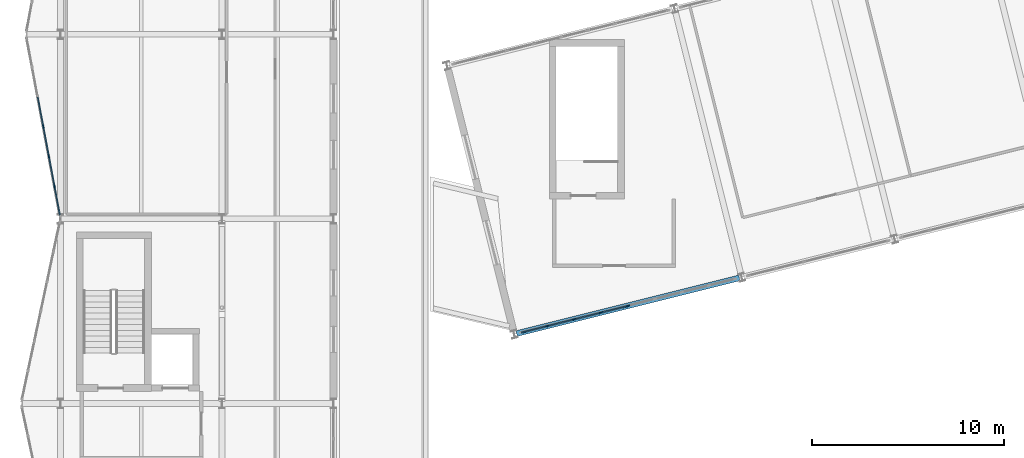
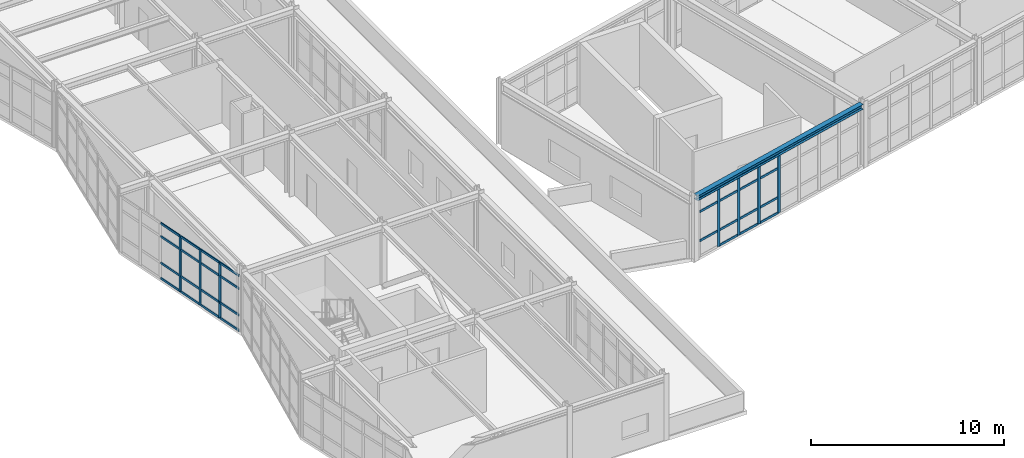
# One storey, part 12 of 64: 38 members, 1 beam, 2 elements without a shape of their own.
"""IFC4 building model written with IfcOpenShell, lengths in metres."""

import ifcopenshell
import ifcopenshell.guid

model = None  # the IFC model being written
_history = None  # IfcOwnerHistory: only IFC2X3 demands one
_inside = {}  # id of a spatial element -> (the spatial element, [elements in it])
_under = {}  # id of a project, library or spatial element -> (it, [spatial elements below it])
_declared = {}  # id of a project -> (the project, [libraries it declares])
_typed = {}  # id of a type object -> (the type object, [elements of that type])
_made_of = {}  # id of a material, layer set ... -> (it, [elements and type objects made of it])


def new_model(schema):
    """Start an empty IFC model of exactly this schema.

    Asked for "IFC4X3", IfcOpenShell would pick the latest addendum, in which some entities
    have other attributes; the version numbers below select the first issue.
    IFC2X3 requires an IfcOwnerHistory on every rooted entity: one is made here for all.
    """
    global model, _history
    if schema == "IFC4X3":
        model = ifcopenshell.file(schema_version=(4, 3, 0, 0))
    else:
        model = ifcopenshell.file(schema=schema)
    _inside.clear()
    _under.clear()
    _declared.clear()
    _typed.clear()
    _made_of.clear()
    _history = None
    if model.schema == "IFC2X3":
        org = make("IfcOrganization", Name="unknown")
        user = make(
            "IfcPersonAndOrganization",
            ThePerson=make("IfcPerson", FamilyName="unknown"),
            TheOrganization=org,
        )
        app = make(
            "IfcApplication",
            ApplicationDeveloper=org,
            Version="unknown",
            ApplicationFullName="unknown",
            ApplicationIdentifier="unknown",
        )
        _history = make(
            "IfcOwnerHistory",
            OwningUser=user,
            OwningApplication=app,
            ChangeAction="ADDED",
            CreationDate=0,
        )
    return model


def make(cls, **values):
    """One entity of the class cls with the attributes given. An attribute that is None is left unset."""
    return model.create_entity(
        cls, **{name: value for name, value in values.items() if value is not None}
    )


def rooted(cls, **values):
    """An entity with a GlobalId (a new one), such as an element, a storey or a relation."""
    return make(cls, GlobalId=ifcopenshell.guid.new(), OwnerHistory=_history, **values)


def si_unit(unit_type, name, prefix=None):
    """IfcSIUnit, for example si_unit("LENGTHUNIT", "METRE", prefix="MILLI")."""
    return make("IfcSIUnit", UnitType=unit_type, Prefix=prefix, Name=name)


def assignment(units):
    """IfcUnitAssignment: the units of a project."""
    return None if units is None else make("IfcUnitAssignment", Units=units)


def point(xyz):
    """IfcCartesianPoint."""
    return None if xyz is None else make("IfcCartesianPoint", Coordinates=xyz)


def direction(xyz):
    """IfcDirection."""
    return None if xyz is None else make("IfcDirection", DirectionRatios=xyz)


def frame(location, z_axis=None, x_axis=None):
    """IfcAxis2Placement3D, a coordinate frame: its origin and axes. An axis left out is left unset."""
    return make(
        "IfcAxis2Placement3D",
        Location=point(location),
        Axis=direction(z_axis),
        RefDirection=direction(x_axis),
    )


def frame_2d(location, x_axis=None):
    """IfcAxis2Placement2D, a coordinate frame in the plane: its origin and x axis."""
    return make(
        "IfcAxis2Placement2D", Location=point(location), RefDirection=direction(x_axis)
    )


def origin():
    """The frame at (0, 0, 0) with its axes left unset."""
    return frame((0.0, 0.0, 0.0))


def origin_2d():
    """The frame at (0, 0) in the plane with its x axis left unset."""
    return frame_2d((0.0, 0.0))


def place(relative_to, where):
    """IfcLocalPlacement: puts the frame where relative to a parent placement (None: the world)."""
    return make(
        "IfcLocalPlacement", PlacementRelTo=relative_to, RelativePlacement=where
    )


def context(
    kind, dimensions, precision=None, world=None, true_north=None, identifier=None
):
    """IfcGeometricRepresentationContext, for example the 3D "Model" context."""
    return make(
        "IfcGeometricRepresentationContext",
        ContextIdentifier=identifier,
        ContextType=kind,
        CoordinateSpaceDimension=dimensions,
        Precision=precision,
        WorldCoordinateSystem=world,
        TrueNorth=true_north,
    )


def subcontext(parent, identifier, kind, view, scale=None):
    """IfcGeometricRepresentationSubContext, for example "Body" below "Model"."""
    return make(
        "IfcGeometricRepresentationSubContext",
        ContextIdentifier=identifier,
        ContextType=kind,
        ParentContext=parent,
        TargetScale=scale,
        TargetView=view,
    )


def project(units=None, contexts=None):
    """IfcProject with its units and contexts."""
    return rooted(
        "IfcProject",
        Name="project",
        RepresentationContexts=contexts,
        UnitsInContext=assignment(units),
    )


def spatial(cls, under=None, at=None, **own):
    """A site, building, storey or space (cls), placed at a placement, below another one or the project."""
    s = rooted(cls, ObjectPlacement=at, **own)
    if under is not None:
        _under.setdefault(under.id(), (under, []))[1].append(s)
    return s


def profile(cls, at=None, kind="AREA", **sizes):
    """A parametric profile (cls). Its sizes go by their IFC names, for example OverallWidth=200.0."""
    return make(cls, ProfileType=kind, Position=at, **sizes)


def rectangle(**sizes):
    """IfcRectangleProfileDef."""
    return profile("IfcRectangleProfileDef", **sizes)


def i_section(**sizes):
    """IfcIShapeProfileDef."""
    return profile("IfcIShapeProfileDef", **sizes)


def extrude(swept, where, along, depth):
    """IfcExtrudedAreaSolid: the profile swept, set in the frame where, extruded along a direction by depth."""
    return make(
        "IfcExtrudedAreaSolid",
        SweptArea=swept,
        Position=where,
        ExtrudedDirection=direction(along),
        Depth=depth,
    )


def shape(context_of_items, identifier, shape_type, items):
    """IfcShapeRepresentation: the items that make up one representation, for example the "Body"."""
    return make(
        "IfcShapeRepresentation",
        ContextOfItems=context_of_items,
        RepresentationIdentifier=identifier,
        RepresentationType=shape_type,
        Items=items,
    )


def material(Name=None, Category=None):
    """IfcMaterial."""
    return make("IfcMaterial", Name=Name, Category=Category)


def layer(
    of_material, thickness, ventilated=None, Name=None, Category=None, Priority=None
):
    """IfcMaterialLayer: one layer of a wall or slab, of a material (None: an air gap)."""
    return make(
        "IfcMaterialLayer",
        Material=of_material,
        LayerThickness=thickness,
        IsVentilated=ventilated,
        Name=Name,
        Category=Category,
        Priority=Priority,
    )


def layer_set(layers, Name=None):
    """IfcMaterialLayerSet."""
    return make("IfcMaterialLayerSet", MaterialLayers=layers, LayerSetName=Name)


def material_profile(
    of_material, cross_section, Name=None, Category=None, Priority=None
):
    """IfcMaterialProfile: a cross section and its material."""
    return make(
        "IfcMaterialProfile",
        Name=Name,
        Material=of_material,
        Profile=cross_section,
        Priority=Priority,
        Category=Category,
    )


def profile_set(profiles, Name=None, composite=None):
    """IfcMaterialProfileSet."""
    return make(
        "IfcMaterialProfileSet",
        Name=Name,
        MaterialProfiles=profiles,
        CompositeProfile=composite,
    )


def made_of(thing, what):
    """Note that an element or type object is made of a material, layer set ...; save() writes the relation."""
    if what is not None:
        _made_of.setdefault(what.id(), (what, []))[1].append(thing)
    return thing


def type_object(cls, material=None, **own):
    """A type object (cls), such as IfcWallType, which elements share."""
    return made_of(rooted(cls, **own), material)


def element(
    cls,
    number,
    at=None,
    inside=None,
    cuts=None,
    type_object=None,
    material=None,
    context=None,
    identifier="Body",
    shape_type=None,
    held_by="IfcProductDefinitionShape",
    body=None,
    shapes=None,
    **own,
):
    """One element of the class cls, such as IfcWall. Its Tag is "e" and its number.

    at: its placement. inside: the storey or other place that contains it. cuts: it is an
    opening in that element (IfcRelVoidsElement). A single representation is given by context,
    identifier, shape_type and body (its items); several are given by shapes. held_by: the class
    of the entity that holds the representations. save() writes the other relations.
    """
    e = rooted(cls, Tag="e%d" % number, ObjectPlacement=at, **own)
    if body is not None:
        shapes = [shape(context, identifier, shape_type, body)]
    if shapes is not None:
        e.Representation = make(held_by, Representations=shapes)
    if inside is not None:
        _inside.setdefault(inside.id(), (inside, []))[1].append(e)
    if cuts is not None:
        rooted(
            "IfcRelVoidsElement", RelatingBuildingElement=cuts, RelatedOpeningElement=e
        )
    if type_object is not None:
        _typed.setdefault(type_object.id(), (type_object, []))[1].append(e)
    return made_of(e, material)


def aggregate(whole, parts):
    """IfcRelAggregates: a whole, such as a stair, and the parts it consists of."""
    return rooted("IfcRelAggregates", RelatingObject=whole, RelatedObjects=parts)


def save(model, path):
    """Write the relations noted so far, then the file.

    IfcRelAggregates (storeys below a building ...), IfcRelContainedInSpatialStructure (elements
    in a storey), IfcRelDefinesByType, IfcRelAssociatesMaterial and IfcRelDeclares: one each for
    every whole, place, type object, material and project.
    """
    for whole, parts in _under.values():
        aggregate(whole, parts)
    for where, things in _inside.values():
        rooted(
            "IfcRelContainedInSpatialStructure",
            RelatedElements=things,
            RelatingStructure=where,
        )
    for kind, things in _typed.values():
        rooted("IfcRelDefinesByType", RelatedObjects=things, RelatingType=kind)
    for what, things in _made_of.values():
        rooted("IfcRelAssociatesMaterial", RelatedObjects=things, RelatingMaterial=what)
    for by, libraries in _declared.values():
        rooted("IfcRelDeclares", RelatingContext=by, RelatedDefinitions=libraries)
    model.write(path)


model = new_model("IFC4")

# Units and contexts
model_context = context("Model", 3, precision=1e-05, world=origin(), true_north=direction((0.0, 1.0)))
body_context = subcontext(model_context, "Body", "Model", "MODEL_VIEW")
ifc_project = project(units=[si_unit("LENGTHUNIT", "METRE"), si_unit("AREAUNIT", "SQUARE_METRE"), si_unit("VOLUMEUNIT", "CUBIC_METRE"), si_unit("PLANEANGLEUNIT", "RADIAN"), si_unit("MASSUNIT", "GRAM", prefix="KILO")], contexts=[model_context])

# Site, building, storey
site_placement = place(None, origin())
site = spatial("IfcSite", under=ifc_project, at=site_placement, CompositionType="ELEMENT")
building_placement = place(site_placement, origin())
building = spatial("IfcBuilding", under=site, at=building_placement, Name="Nordkorset Police Headquarters", CompositionType="ELEMENT")
storey_placement = place(building_placement, frame((0.0, 0.0, 17.85009765625)))
storey = spatial("IfcBuildingStorey", under=building, at=storey_placement, Name="L04", CompositionType="ELEMENT", Elevation=17.85009765625)

# Curtain wall, members
ifc_material_1 = material(Name="Aluminium alloy AW-6060", Category="aluminium")
ifc_layer_1 = layer(ifc_material_1, 0.179931640625, Name="Aluminium alloy AW-6060")
ifc_layer_set_1 = layer_set([ifc_layer_1], Name="Aluminium alloy AW-6060")
curtain_wall_type_1 = type_object("IfcCurtainWallType", Name="CW_Unit_949x353", PredefinedType="USERDEFINED", material=ifc_layer_set_1)
curtain_wall_1_placement = place(storey_placement, origin())
curtain_wall_1 = element("IfcCurtainWall", 1, at=curtain_wall_1_placement, inside=storey, type_object=curtain_wall_type_1, Name="Unitised Curtain Wall L04 V3W-2", ObjectType="UNITISED CURTAIN WALL", PredefinedType="USERDEFINED")
ifc_material_2 = material(Name="Aluminium alloy AW-6060", Category="aluminium")
ifc_material_profile_1 = material_profile(ifc_material_2, rectangle(XDim=0.06494140625, YDim=0.179931640625, at=origin_2d()), Name="ALU MULL 65x180")
ifc_profile_set_1 = profile_set([ifc_material_profile_1], Name="Aluminium alloy AW-6060")
member_type_1 = type_object("IfcMemberType", Name="CW_Mullion_65x180", PredefinedType="MULLION", material=ifc_profile_set_1)
member_1_placement = place(storey_placement, frame((-0.317138671875, 49.691650390625, 0.0), z_axis=(0.0, 0.0, 1.0), x_axis=(-0.982872186935, -0.184288535048, 0.0)))
member_1 = element("IfcMember", 2, at=member_1_placement, type_object=member_type_1, Name="CW-13 mullion 2", PredefinedType="MULLION", context=body_context, shape_type="SweptSolid", body=[
    extrude(rectangle(XDim=0.06494140625, YDim=0.179931640625, at=origin_2d()), origin(), (0.0, 0.0, 1.0), 3.52978515625),
])
member_2_placement = place(storey_placement, frame((-0.608642578125, 51.245849609375, 0.0), z_axis=(0.0, 0.0, 1.0), x_axis=(-0.982872186935, -0.184288535048, 0.0)))
member_2 = element("IfcMember", 3, at=member_2_placement, type_object=member_type_1, Name="CW-13 mullion 3", PredefinedType="MULLION", context=body_context, shape_type="SweptSolid", body=[
    extrude(rectangle(XDim=0.06494140625, YDim=0.179931640625, at=origin_2d()), origin(), (0.0, 0.0, 1.0), 3.52978515625),
])
member_3_placement = place(storey_placement, frame((-0.89990234375, 52.800048828125, 0.0), z_axis=(0.0, 0.0, 1.0), x_axis=(-0.982872186935, -0.184288535048, 0.0)))
member_3 = element("IfcMember", 4, at=member_3_placement, type_object=member_type_1, Name="CW-13 mullion 4", PredefinedType="MULLION", context=body_context, shape_type="SweptSolid", body=[
    extrude(rectangle(XDim=0.06494140625, YDim=0.179931640625, at=origin_2d()), origin(), (0.0, 0.0, 1.0), 3.52978515625),
])

ifc_material_3 = material(Name="Aluminium alloy AW-6060", Category="aluminium")
ifc_layer_2 = layer(ifc_material_3, 0.179931640625, Name="Aluminium alloy AW-6060")
ifc_layer_set_2 = layer_set([ifc_layer_2], Name="Aluminium alloy AW-6060")
curtain_wall_type_2 = type_object("IfcCurtainWallType", Name="CW_Unit_1156x369", PredefinedType="USERDEFINED", material=ifc_layer_set_2)
curtain_wall_2_placement = place(storey_placement, origin())
curtain_wall_2 = element("IfcCurtainWall", 5, at=curtain_wall_2_placement, inside=storey, type_object=curtain_wall_type_2, Name="Unitised Curtain Wall L04 V4S-0", ObjectType="UNITISED CURTAIN WALL", PredefinedType="USERDEFINED")
member_4_placement = place(storey_placement, frame((25.312255859375, 42.427978515625, 0.0), z_axis=(0.0, 0.0, 1.0), x_axis=(-0.242535625038, 0.970142500145, 0.0)))
member_4 = element("IfcMember", 6, at=member_4_placement, type_object=member_type_1, Name="CW-06 mullion 2", PredefinedType="MULLION", context=body_context, shape_type="SweptSolid", body=[
    extrude(rectangle(XDim=0.06494140625, YDim=0.179931640625, at=origin_2d()), origin(), (0.0, 0.0, 1.0), 3.69091796875),
])
member_5_placement = place(storey_placement, frame((26.714111328125, 42.778564453125, 0.0), z_axis=(0.0, 0.0, 1.0), x_axis=(-0.242535625038, 0.970142500145, 0.0)))
member_5 = element("IfcMember", 7, at=member_5_placement, type_object=member_type_1, Name="CW-06 mullion 3", PredefinedType="MULLION", context=body_context, shape_type="SweptSolid", body=[
    extrude(rectangle(XDim=0.06494140625, YDim=0.179931640625, at=origin_2d()), origin(), (0.0, 0.0, 1.0), 3.69091796875),
])
member_6_placement = place(storey_placement, frame((28.115966796875, 43.12890625, 0.0), z_axis=(0.0, 0.0, 1.0), x_axis=(-0.242535625038, 0.970142500145, 0.0)))
member_6 = element("IfcMember", 8, at=member_6_placement, type_object=member_type_1, Name="CW-06 mullion 4", PredefinedType="MULLION", context=body_context, shape_type="SweptSolid", body=[
    extrude(rectangle(XDim=0.06494140625, YDim=0.179931640625, at=origin_2d()), origin(), (0.0, 0.0, 1.0), 3.69091796875),
])
member_7_placement = place(storey_placement, frame((29.517822265625, 43.4794921875, 0.0), z_axis=(0.0, 0.0, 1.0), x_axis=(-0.242535625038, 0.970142500145, 0.0)))
member_7 = element("IfcMember", 9, at=member_7_placement, type_object=member_type_1, Name="CW-06 mullion 5", PredefinedType="MULLION", context=body_context, shape_type="SweptSolid", body=[
    extrude(rectangle(XDim=0.06494140625, YDim=0.179931640625, at=origin_2d()), origin(), (0.0, 0.0, 1.0), 3.69091796875),
])

# Member
ifc_material_4 = material(Name="Aluminium alloy AW-6060", Category="aluminium")
ifc_material_profile_2 = material_profile(ifc_material_4, rectangle(XDim=0.06494140625, YDim=0.139892578125, at=origin_2d()), Name="ALU TRAN 65x140")
ifc_profile_set_2 = profile_set([ifc_material_profile_2], Name="Aluminium alloy AW-6060")
member_type_2 = type_object("IfcMemberType", Name="CW_Transom_65x140", PredefinedType="USERDEFINED", material=ifc_profile_set_2)
member_8_placement = place(storey_placement, frame((-0.037841796875, 48.201416015625, 0.032470703125), z_axis=(-0.184298470268, 0.982870324029, 0.0), x_axis=(-0.982870324029, -0.184298470268, 0.0)))
member_8 = element("IfcMember", 10, at=member_8_placement, type_object=member_type_2, Name="CW-13 transom 1.1", ObjectType="TRANSOM", PredefinedType="USERDEFINED", context=body_context, shape_type="SweptSolid", body=[
    extrude(rectangle(XDim=0.06494140625, YDim=0.139892578125, at=origin_2d()), origin(), (0.0, 0.0, 1.0), 1.483642578125),
])

member_9_placement = place(storey_placement, frame((-0.037841796875, 48.201416015625, 1.0), z_axis=(-0.184298470268, 0.982870324029, 0.0), x_axis=(-0.982870324029, -0.184298470268, 0.0)))
member_9 = element("IfcMember", 11, at=member_9_placement, type_object=member_type_2, Name="CW-13 transom 1.2", ObjectType="TRANSOM", PredefinedType="USERDEFINED", context=body_context, shape_type="SweptSolid", body=[
    extrude(rectangle(XDim=0.06494140625, YDim=0.139892578125, at=origin_2d()), origin(), (0.0, 0.0, 1.0), 1.483642578125),
])

member_10_placement = place(storey_placement, frame((-0.037841796875, 48.201416015625, 2.679931640625), z_axis=(-0.184298470268, 0.982870324029, 0.0), x_axis=(-0.982870324029, -0.184298470268, 0.0)))
member_10 = element("IfcMember", 12, at=member_10_placement, type_object=member_type_2, Name="CW-13 transom 1.3", ObjectType="TRANSOM", PredefinedType="USERDEFINED", context=body_context, shape_type="SweptSolid", body=[
    extrude(rectangle(XDim=0.06494140625, YDim=0.139892578125, at=origin_2d()), origin(), (0.0, 0.0, 1.0), 1.483642578125),
])

member_11_placement = place(storey_placement, frame((-0.037841796875, 48.201416015625, 3.497314453125), z_axis=(-0.184298470268, 0.982870324029, 0.0), x_axis=(-0.982870324029, -0.184298470268, 0.0)))
member_11 = element("IfcMember", 13, at=member_11_placement, type_object=member_type_2, Name="CW-13 transom 1.4", ObjectType="TRANSOM", PredefinedType="USERDEFINED", context=body_context, shape_type="SweptSolid", body=[
    extrude(rectangle(XDim=0.06494140625, YDim=0.139892578125, at=origin_2d()), origin(), (0.0, 0.0, 1.0), 1.483642578125),
])

member_12_placement = place(storey_placement, frame((-0.3232421875, 49.7236328125, 0.032470703125), z_axis=(-0.184210757138, 0.982886767107, 0.0), x_axis=(-0.982886767107, -0.184210757138, 0.0)))
member_12 = element("IfcMember", 14, at=member_12_placement, type_object=member_type_2, Name="CW-13 transom 2.1", ObjectType="TRANSOM", PredefinedType="USERDEFINED", context=body_context, shape_type="SweptSolid", body=[
    extrude(rectangle(XDim=0.06494140625, YDim=0.139892578125, at=origin_2d()), origin(), (0.0, 0.0, 1.0), 1.51611328125),
])

member_13_placement = place(storey_placement, frame((-0.3232421875, 49.7236328125, 1.0), z_axis=(-0.184210757138, 0.982886767107, 0.0), x_axis=(-0.982886767107, -0.184210757138, 0.0)))
member_13 = element("IfcMember", 15, at=member_13_placement, type_object=member_type_2, Name="CW-13 transom 2.2", ObjectType="TRANSOM", PredefinedType="USERDEFINED", context=body_context, shape_type="SweptSolid", body=[
    extrude(rectangle(XDim=0.06494140625, YDim=0.139892578125, at=origin_2d()), origin(), (0.0, 0.0, 1.0), 1.51611328125),
])

member_14_placement = place(storey_placement, frame((-0.3232421875, 49.7236328125, 2.679931640625), z_axis=(-0.184210757138, 0.982886767107, 0.0), x_axis=(-0.982886767107, -0.184210757138, 0.0)))
member_14 = element("IfcMember", 16, at=member_14_placement, type_object=member_type_2, Name="CW-13 transom 2.3", ObjectType="TRANSOM", PredefinedType="USERDEFINED", context=body_context, shape_type="SweptSolid", body=[
    extrude(rectangle(XDim=0.06494140625, YDim=0.139892578125, at=origin_2d()), origin(), (0.0, 0.0, 1.0), 1.51611328125),
])

member_15_placement = place(storey_placement, frame((-0.3232421875, 49.7236328125, 3.497314453125), z_axis=(-0.184210757138, 0.982886767107, 0.0), x_axis=(-0.982886767107, -0.184210757138, 0.0)))
member_15 = element("IfcMember", 17, at=member_15_placement, type_object=member_type_2, Name="CW-13 transom 2.4", ObjectType="TRANSOM", PredefinedType="USERDEFINED", context=body_context, shape_type="SweptSolid", body=[
    extrude(rectangle(XDim=0.06494140625, YDim=0.139892578125, at=origin_2d()), origin(), (0.0, 0.0, 1.0), 1.51611328125),
])

member_16_placement = place(storey_placement, frame((-0.614501953125, 51.27783203125, 0.032470703125), z_axis=(-0.1843663095, 0.98285760104, 0.0), x_axis=(-0.98285760104, -0.1843663095, 0.0)))
member_16 = element("IfcMember", 18, at=member_16_placement, type_object=member_type_2, Name="CW-13 transom 3.1", ObjectType="TRANSOM", PredefinedType="USERDEFINED", context=body_context, shape_type="SweptSolid", body=[
    extrude(rectangle(XDim=0.06494140625, YDim=0.139892578125, at=origin_2d()), origin(), (0.0, 0.0, 1.0), 1.51611328125),
])

member_17_placement = place(storey_placement, frame((-0.614501953125, 51.27783203125, 1.0), z_axis=(-0.1843663095, 0.98285760104, 0.0), x_axis=(-0.98285760104, -0.1843663095, 0.0)))
member_17 = element("IfcMember", 19, at=member_17_placement, type_object=member_type_2, Name="CW-13 transom 3.2", ObjectType="TRANSOM", PredefinedType="USERDEFINED", context=body_context, shape_type="SweptSolid", body=[
    extrude(rectangle(XDim=0.06494140625, YDim=0.139892578125, at=origin_2d()), origin(), (0.0, 0.0, 1.0), 1.51611328125),
])

member_18_placement = place(storey_placement, frame((-0.614501953125, 51.27783203125, 2.679931640625), z_axis=(-0.1843663095, 0.98285760104, 0.0), x_axis=(-0.98285760104, -0.1843663095, 0.0)))
member_18 = element("IfcMember", 20, at=member_18_placement, type_object=member_type_2, Name="CW-13 transom 3.3", ObjectType="TRANSOM", PredefinedType="USERDEFINED", context=body_context, shape_type="SweptSolid", body=[
    extrude(rectangle(XDim=0.06494140625, YDim=0.139892578125, at=origin_2d()), origin(), (0.0, 0.0, 1.0), 1.51611328125),
])

member_19_placement = place(storey_placement, frame((-0.614501953125, 51.27783203125, 3.497314453125), z_axis=(-0.1843663095, 0.98285760104, 0.0), x_axis=(-0.98285760104, -0.1843663095, 0.0)))
member_19 = element("IfcMember", 21, at=member_19_placement, type_object=member_type_2, Name="CW-13 transom 3.4", ObjectType="TRANSOM", PredefinedType="USERDEFINED", context=body_context, shape_type="SweptSolid", body=[
    extrude(rectangle(XDim=0.06494140625, YDim=0.139892578125, at=origin_2d()), origin(), (0.0, 0.0, 1.0), 1.51611328125),
])

member_20_placement = place(storey_placement, frame((-0.906005859375, 52.83203125, 0.032470703125), z_axis=(-0.184210757138, 0.982886767107, 0.0), x_axis=(-0.982886767107, -0.184210757138, 0.0)))
member_20 = element("IfcMember", 22, at=member_20_placement, type_object=member_type_2, Name="CW-13 transom 4.1", ObjectType="TRANSOM", PredefinedType="USERDEFINED", context=body_context, shape_type="SweptSolid", body=[
    extrude(rectangle(XDim=0.06494140625, YDim=0.139892578125, at=origin_2d()), origin(), (0.0, 0.0, 1.0), 1.51611328125),
])

member_21_placement = place(storey_placement, frame((-0.906005859375, 52.83203125, 1.0), z_axis=(-0.184210757138, 0.982886767107, 0.0), x_axis=(-0.982886767107, -0.184210757138, 0.0)))
member_21 = element("IfcMember", 23, at=member_21_placement, type_object=member_type_2, Name="CW-13 transom 4.2", ObjectType="TRANSOM", PredefinedType="USERDEFINED", context=body_context, shape_type="SweptSolid", body=[
    extrude(rectangle(XDim=0.06494140625, YDim=0.139892578125, at=origin_2d()), origin(), (0.0, 0.0, 1.0), 1.51611328125),
])

member_22_placement = place(storey_placement, frame((-0.906005859375, 52.83203125, 2.679931640625), z_axis=(-0.184210757138, 0.982886767107, 0.0), x_axis=(-0.982886767107, -0.184210757138, 0.0)))
member_22 = element("IfcMember", 24, at=member_22_placement, type_object=member_type_2, Name="CW-13 transom 4.3", ObjectType="TRANSOM", PredefinedType="USERDEFINED", context=body_context, shape_type="SweptSolid", body=[
    extrude(rectangle(XDim=0.06494140625, YDim=0.139892578125, at=origin_2d()), origin(), (0.0, 0.0, 1.0), 1.51611328125),
])

member_23_placement = place(storey_placement, frame((-0.906005859375, 52.83203125, 3.497314453125), z_axis=(-0.184210757138, 0.982886767107, 0.0), x_axis=(-0.982886767107, -0.184210757138, 0.0)))
member_23 = element("IfcMember", 25, at=member_23_placement, type_object=member_type_2, Name="CW-13 transom 4.4", ObjectType="TRANSOM", PredefinedType="USERDEFINED", context=body_context, shape_type="SweptSolid", body=[
    extrude(rectangle(XDim=0.06494140625, YDim=0.139892578125, at=origin_2d()), origin(), (0.0, 0.0, 1.0), 1.51611328125),
])

aggregate(curtain_wall_1, [member_1, member_2, member_3, member_8, member_9, member_10, member_11, member_12, member_13, member_14, member_15, member_16, member_17, member_18, member_19, member_20, member_21, member_22, member_23])

member_24_placement = place(storey_placement, frame((23.973388671875, 42.09326171875, 1.0), z_axis=(0.970131842518, 0.242578251565, 0.0), x_axis=(-0.242578251565, 0.970131842518, 0.0)))
member_24 = element("IfcMember", 26, at=member_24_placement, type_object=member_type_2, Name="CW-06 transom 1.2", ObjectType="TRANSOM", PredefinedType="USERDEFINED", context=body_context, shape_type="SweptSolid", body=[
    extrude(rectangle(XDim=0.06494140625, YDim=0.139892578125, at=origin_2d()), origin(), (0.0, 0.0, 1.0), 1.34765625),
])

member_25_placement = place(storey_placement, frame((23.973388671875, 42.09326171875, 2.8408203125), z_axis=(0.970131842518, 0.242578251565, 0.0), x_axis=(-0.242578251565, 0.970131842518, 0.0)))
member_25 = element("IfcMember", 27, at=member_25_placement, type_object=member_type_2, Name="CW-06 transom 1.3", ObjectType="TRANSOM", PredefinedType="USERDEFINED", context=body_context, shape_type="SweptSolid", body=[
    extrude(rectangle(XDim=0.06494140625, YDim=0.139892578125, at=origin_2d()), origin(), (0.0, 0.0, 1.0), 1.34765625),
])

member_26_placement = place(storey_placement, frame((23.973388671875, 42.09326171875, 3.658447265625), z_axis=(0.970131842518, 0.242578251565, 0.0), x_axis=(-0.242578251565, 0.970131842518, 0.0)))
member_26 = element("IfcMember", 28, at=member_26_placement, type_object=member_type_2, Name="CW-06 transom 1.4", ObjectType="TRANSOM", PredefinedType="USERDEFINED", context=body_context, shape_type="SweptSolid", body=[
    extrude(rectangle(XDim=0.06494140625, YDim=0.139892578125, at=origin_2d()), origin(), (0.0, 0.0, 1.0), 1.34765625),
])

member_27_placement = place(storey_placement, frame((25.34375, 42.43603515625, 0.032470703125), z_axis=(0.970142500145, 0.242535625036, 0.0), x_axis=(-0.242535625036, 0.970142500145, 0.0)))
member_27 = element("IfcMember", 29, at=member_27_placement, type_object=member_type_2, Name="CW-06 transom 2.1", ObjectType="TRANSOM", PredefinedType="USERDEFINED", context=body_context, shape_type="SweptSolid", body=[
    extrude(rectangle(XDim=0.06494140625, YDim=0.139892578125, at=origin_2d()), origin(), (0.0, 0.0, 1.0), 1.380126953125),
])

member_28_placement = place(storey_placement, frame((25.34375, 42.43603515625, 1.0), z_axis=(0.970142500145, 0.242535625036, 0.0), x_axis=(-0.242535625036, 0.970142500145, 0.0)))
member_28 = element("IfcMember", 30, at=member_28_placement, type_object=member_type_2, Name="CW-06 transom 2.2", ObjectType="TRANSOM", PredefinedType="USERDEFINED", context=body_context, shape_type="SweptSolid", body=[
    extrude(rectangle(XDim=0.06494140625, YDim=0.139892578125, at=origin_2d()), origin(), (0.0, 0.0, 1.0), 1.380126953125),
])

member_29_placement = place(storey_placement, frame((25.34375, 42.43603515625, 2.8408203125), z_axis=(0.970142500145, 0.242535625036, 0.0), x_axis=(-0.242535625036, 0.970142500145, 0.0)))
member_29 = element("IfcMember", 31, at=member_29_placement, type_object=member_type_2, Name="CW-06 transom 2.3", ObjectType="TRANSOM", PredefinedType="USERDEFINED", context=body_context, shape_type="SweptSolid", body=[
    extrude(rectangle(XDim=0.06494140625, YDim=0.139892578125, at=origin_2d()), origin(), (0.0, 0.0, 1.0), 1.380126953125),
])

member_30_placement = place(storey_placement, frame((25.34375, 42.43603515625, 3.658447265625), z_axis=(0.970142500145, 0.242535625036, 0.0), x_axis=(-0.242535625036, 0.970142500145, 0.0)))
member_30 = element("IfcMember", 32, at=member_30_placement, type_object=member_type_2, Name="CW-06 transom 2.4", ObjectType="TRANSOM", PredefinedType="USERDEFINED", context=body_context, shape_type="SweptSolid", body=[
    extrude(rectangle(XDim=0.06494140625, YDim=0.139892578125, at=origin_2d()), origin(), (0.0, 0.0, 1.0), 1.380126953125),
])

member_31_placement = place(storey_placement, frame((26.74560546875, 42.786376953125, 0.032470703125), z_axis=(0.970142500145, 0.242535625036, 0.0), x_axis=(-0.242535625036, 0.970142500145, 0.0)))
member_31 = element("IfcMember", 33, at=member_31_placement, type_object=member_type_2, Name="CW-06 transom 3.1", ObjectType="TRANSOM", PredefinedType="USERDEFINED", context=body_context, shape_type="SweptSolid", body=[
    extrude(rectangle(XDim=0.06494140625, YDim=0.139892578125, at=origin_2d()), origin(), (0.0, 0.0, 1.0), 1.380126953125),
])

member_32_placement = place(storey_placement, frame((26.74560546875, 42.786376953125, 1.0), z_axis=(0.970142500145, 0.242535625036, 0.0), x_axis=(-0.242535625036, 0.970142500145, 0.0)))
member_32 = element("IfcMember", 34, at=member_32_placement, type_object=member_type_2, Name="CW-06 transom 3.2", ObjectType="TRANSOM", PredefinedType="USERDEFINED", context=body_context, shape_type="SweptSolid", body=[
    extrude(rectangle(XDim=0.06494140625, YDim=0.139892578125, at=origin_2d()), origin(), (0.0, 0.0, 1.0), 1.380126953125),
])

member_33_placement = place(storey_placement, frame((26.74560546875, 42.786376953125, 2.8408203125), z_axis=(0.970142500145, 0.242535625036, 0.0), x_axis=(-0.242535625036, 0.970142500145, 0.0)))
member_33 = element("IfcMember", 35, at=member_33_placement, type_object=member_type_2, Name="CW-06 transom 3.3", ObjectType="TRANSOM", PredefinedType="USERDEFINED", context=body_context, shape_type="SweptSolid", body=[
    extrude(rectangle(XDim=0.06494140625, YDim=0.139892578125, at=origin_2d()), origin(), (0.0, 0.0, 1.0), 1.380126953125),
])

member_34_placement = place(storey_placement, frame((26.74560546875, 42.786376953125, 3.658447265625), z_axis=(0.970142500145, 0.242535625036, 0.0), x_axis=(-0.242535625036, 0.970142500145, 0.0)))
member_34 = element("IfcMember", 36, at=member_34_placement, type_object=member_type_2, Name="CW-06 transom 3.4", ObjectType="TRANSOM", PredefinedType="USERDEFINED", context=body_context, shape_type="SweptSolid", body=[
    extrude(rectangle(XDim=0.06494140625, YDim=0.139892578125, at=origin_2d()), origin(), (0.0, 0.0, 1.0), 1.380126953125),
])

member_35_placement = place(storey_placement, frame((28.1474609375, 43.136962890625, 0.032470703125), z_axis=(0.970142500145, 0.242535625036, 0.0), x_axis=(-0.242535625036, 0.970142500145, 0.0)))
member_35 = element("IfcMember", 37, at=member_35_placement, type_object=member_type_2, Name="CW-06 transom 4.1", ObjectType="TRANSOM", PredefinedType="USERDEFINED", context=body_context, shape_type="SweptSolid", body=[
    extrude(rectangle(XDim=0.06494140625, YDim=0.139892578125, at=origin_2d()), origin(), (0.0, 0.0, 1.0), 1.380126953125),
])

member_36_placement = place(storey_placement, frame((28.1474609375, 43.136962890625, 1.0), z_axis=(0.970142500145, 0.242535625036, 0.0), x_axis=(-0.242535625036, 0.970142500145, 0.0)))
member_36 = element("IfcMember", 38, at=member_36_placement, type_object=member_type_2, Name="CW-06 transom 4.2", ObjectType="TRANSOM", PredefinedType="USERDEFINED", context=body_context, shape_type="SweptSolid", body=[
    extrude(rectangle(XDim=0.06494140625, YDim=0.139892578125, at=origin_2d()), origin(), (0.0, 0.0, 1.0), 1.380126953125),
])

member_37_placement = place(storey_placement, frame((28.1474609375, 43.136962890625, 2.8408203125), z_axis=(0.970142500145, 0.242535625036, 0.0), x_axis=(-0.242535625036, 0.970142500145, 0.0)))
member_37 = element("IfcMember", 39, at=member_37_placement, type_object=member_type_2, Name="CW-06 transom 4.3", ObjectType="TRANSOM", PredefinedType="USERDEFINED", context=body_context, shape_type="SweptSolid", body=[
    extrude(rectangle(XDim=0.06494140625, YDim=0.139892578125, at=origin_2d()), origin(), (0.0, 0.0, 1.0), 1.380126953125),
])

member_38_placement = place(storey_placement, frame((28.1474609375, 43.136962890625, 3.658447265625), z_axis=(0.970142500145, 0.242535625036, 0.0), x_axis=(-0.242535625036, 0.970142500145, 0.0)))
member_38 = element("IfcMember", 40, at=member_38_placement, type_object=member_type_2, Name="CW-06 transom 4.4", ObjectType="TRANSOM", PredefinedType="USERDEFINED", context=body_context, shape_type="SweptSolid", body=[
    extrude(rectangle(XDim=0.06494140625, YDim=0.139892578125, at=origin_2d()), origin(), (0.0, 0.0, 1.0), 1.380126953125),
])

aggregate(curtain_wall_2, [member_4, member_5, member_6, member_7, member_24, member_25, member_26, member_27, member_28, member_29, member_30, member_31, member_32, member_33, member_34, member_35, member_36, member_37, member_38])

# Beam
ifc_material_5 = material(Name="Steel S355J2", Category="steel")
ifc_material_profile_3 = material_profile(ifc_material_5, i_section(OverallWidth=0.300048828125, OverallDepth=0.31005859375, WebThickness=0.009033203125, FlangeThickness=0.015380859375, FilletRadius=0.027099609375, at=origin_2d()), Name="HEA 320")
ifc_profile_set_3 = profile_set([ifc_material_profile_3], Name="Steel S355J2")
beam_type = type_object("IfcBeamType", Name="Spandrel_HEA_320", PredefinedType="SPANDREL", material=ifc_profile_set_3)
beam_placement = place(storey_placement, frame((23.72607421875, 42.031494140625, 3.865966796875), z_axis=(0.970140094539, 0.242545247258, 0.0), x_axis=(-0.242545247258, 0.970140094539, 0.0)))
element("IfcBeam", 41, at=beam_placement, inside=storey, type_object=beam_type, Name="Splayed Wing Spandrel L04 0-0", PredefinedType="SPANDREL", context=body_context, shape_type="SweptSolid", body=[
    extrude(i_section(OverallWidth=0.300048828125, OverallDepth=0.31005859375, WebThickness=0.009033203125, FlangeThickness=0.015380859375, FilletRadius=0.027099609375, at=origin_2d()), origin(), (0.0, 0.0, 1.0), 11.93994140625),
])

save(model, "model.ifc")
